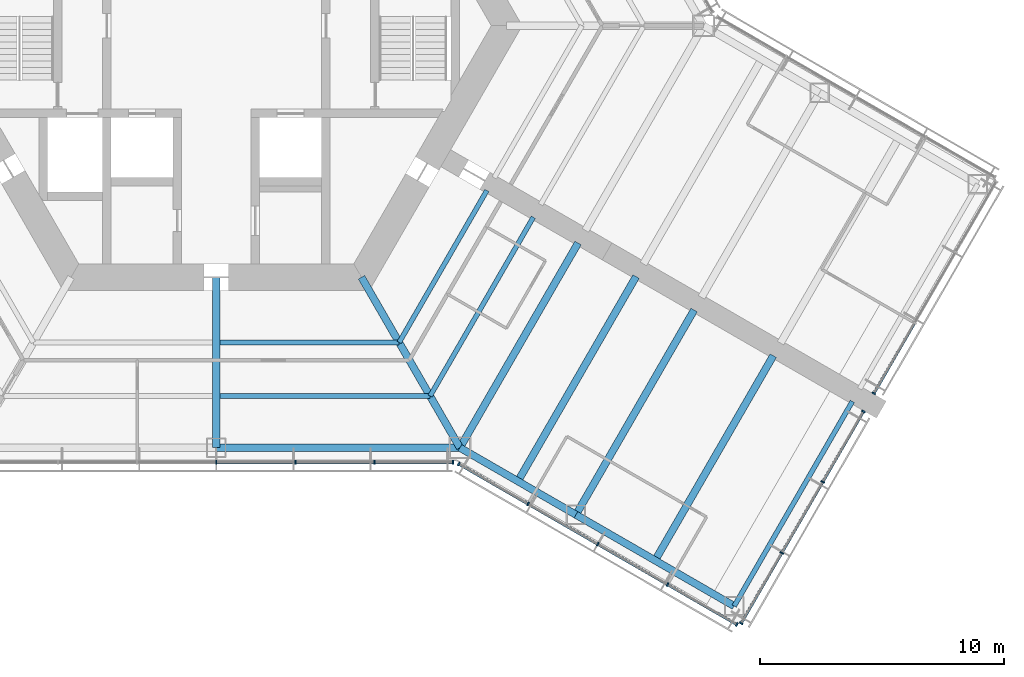
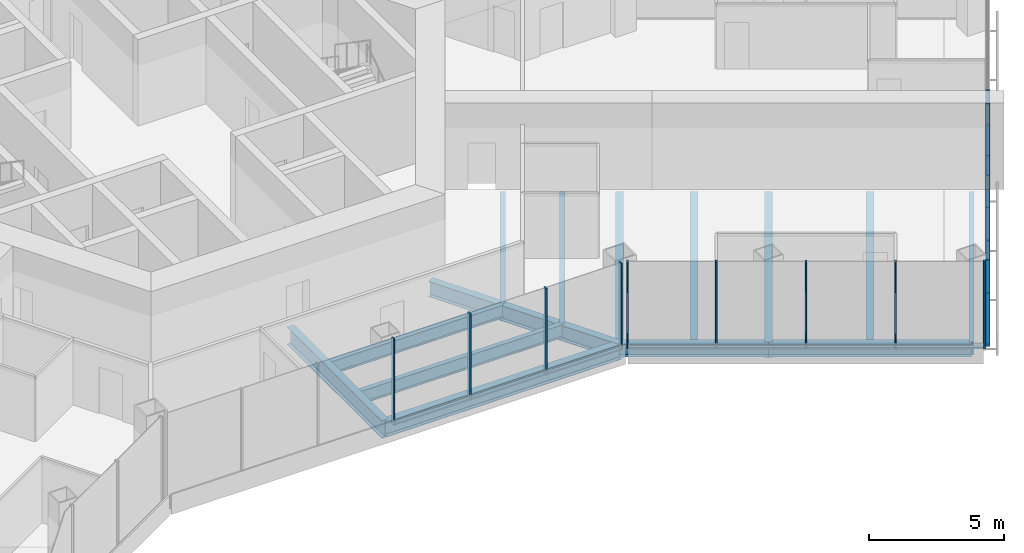
# One storey, part 5 of 19: 25 members, 14 beams, 4 elements without a shape of their own.
"""IFC4 building model written with IfcOpenShell, lengths in metres."""

from ifc_helpers import new_model, si_unit, direction, frame, origin, origin_2d, place, context, subcontext, project, spatial, rectangle, i_section, extrude, material, material_profile, profile_set, type_object, element, aggregate, save


model = new_model("IFC4")

# Units and contexts
model_context = context("Model", 3, precision=1e-05, world=origin(), true_north=direction((0.0, 1.0)))
body_context = subcontext(model_context, "Body", "Model", "MODEL_VIEW")
ifc_project = project(units=[si_unit("LENGTHUNIT", "METRE"), si_unit("AREAUNIT", "SQUARE_METRE"), si_unit("VOLUMEUNIT", "CUBIC_METRE"), si_unit("PLANEANGLEUNIT", "RADIAN"), si_unit("MASSUNIT", "GRAM", prefix="KILO")], contexts=[model_context])

# Site, building, storey
site_placement = place(None, origin())
site = spatial("IfcSite", under=ifc_project, at=site_placement, CompositionType="ELEMENT")
building_placement = place(site_placement, origin())
building = spatial("IfcBuilding", under=site, at=building_placement, Name="Kasaneha Research Tower", CompositionType="ELEMENT")
storey_placement = place(building_placement, frame((0.0, 0.0, 96.300048828125)))
storey = spatial("IfcBuildingStorey", under=building, at=storey_placement, Name="L24", CompositionType="ELEMENT", Elevation=96.300048828125)

# Beams
ifc_material_1 = material(Name="Steel SN490B", Category="steel")
ifc_material_profile_1 = material_profile(ifc_material_1, i_section(OverallWidth=0.199951171875, OverallDepth=0.60009765625, WebThickness=0.010986328125, FlangeThickness=0.01708984375, FilletRadius=0.012939453125, at=origin_2d()), Name="H-600x200x11x17")
ifc_profile_set_1 = profile_set([ifc_material_profile_1], Name="Steel SN490B")
beam_type_1 = type_object("IfcBeamType", Name="B1-3 secondary beam H-600x200x11x17", PredefinedType="JOIST", material=ifc_profile_set_1)
beam_1_placement = place(storey_placement, frame((7.505615234375, -13.0, -0.449951171875), z_axis=(-1.0, 0.0, 0.0), x_axis=(0.0, -1.0, 0.0)))
element("IfcBeam", 1, at=beam_1_placement, inside=storey, type_object=beam_type_1, Name="Secondary beam RS270R1 L24", PredefinedType="JOIST", context=body_context, shape_type="SweptSolid", body=[
    extrude(i_section(OverallWidth=0.199951171875, OverallDepth=0.60009765625, WebThickness=0.010986328125, FlangeThickness=0.01708984375, FilletRadius=0.012939453125, at=origin_2d()), origin(), (0.0, 0.0, 1.0), 7.355712890625),
])
beam_2_placement = place(storey_placement, frame((8.775634765625, -15.199951171875, -0.449951171875), z_axis=(-1.0, 0.0, 0.0), x_axis=(0.0, -1.0, 0.0)))
element("IfcBeam", 2, at=beam_2_placement, inside=storey, type_object=beam_type_1, Name="Secondary beam RS270R2 L24", PredefinedType="JOIST", context=body_context, shape_type="SweptSolid", body=[
    extrude(i_section(OverallWidth=0.199951171875, OverallDepth=0.60009765625, WebThickness=0.010986328125, FlangeThickness=0.01708984375, FilletRadius=0.012939453125, at=origin_2d()), origin(), (0.0, 0.0, 1.0), 8.625732421875),
])
beam_3_placement = place(storey_placement, frame((7.505615234375, -13.0, -0.449951171875), z_axis=(0.499998147991, 0.86602647304, 0.0), x_axis=(-0.86602647304, 0.499998147991, 0.0)))
element("IfcBeam", 3, at=beam_3_placement, inside=storey, type_object=beam_type_1, Name="Secondary beam RS330L1 L24", PredefinedType="JOIST", context=body_context, shape_type="SweptSolid", body=[
    extrude(i_section(OverallWidth=0.199951171875, OverallDepth=0.60009765625, WebThickness=0.010986328125, FlangeThickness=0.01708984375, FilletRadius=0.012939453125, at=origin_2d()), origin(), (0.0, 0.0, 1.0), 7.20556640625),
])
beam_4_placement = place(storey_placement, frame((8.775634765625, -15.199951171875, -0.449951171875), z_axis=(0.500020829043, 0.866013377797, 0.0), x_axis=(-0.866013377797, 0.500020829043, 0.0)))
element("IfcBeam", 4, at=beam_4_placement, inside=storey, type_object=beam_type_1, Name="Secondary beam RS330L2 L24", PredefinedType="JOIST", context=body_context, shape_type="SweptSolid", body=[
    extrude(i_section(OverallWidth=0.199951171875, OverallDepth=0.60009765625, WebThickness=0.010986328125, FlangeThickness=0.01708984375, FilletRadius=0.012939453125, at=origin_2d()), origin(), (0.0, 0.0, 1.0), 8.475830078125),
])
ifc_material_2 = material(Name="Steel SN490B", Category="steel")
ifc_material_profile_2 = material_profile(ifc_material_2, i_section(OverallWidth=0.300048828125, OverallDepth=0.58203125, WebThickness=0.011962890625, FlangeThickness=0.01708984375, FilletRadius=0.012939453125, at=origin_2d()), Name="H-582x300x12x17")
ifc_profile_set_2 = profile_set([ifc_material_profile_2], Name="Steel SN490B")
beam_type_2 = type_object("IfcBeamType", Name="B2-3 secondary beam H-582x300x12x17", PredefinedType="JOIST", material=ifc_profile_set_2)
for number, where, z_axis, x_axis, name in (
    (5, (12.381591796875, -18.695556640625, -0.441162109375), (0.500010041276, 0.866019606374, 0.0), (-0.866019606374, 0.500010041276, 0.0), "Secondary beam WBCP1 L24"),
    (6, (18.0107421875, -21.945556640625, -0.441162109375), (0.500010041276, 0.866019606374, 0.0), (-0.866019606374, 0.500010041276, 0.0), "Secondary beam WBCP2 L24"),
):
    element("IfcBeam", number, at=place(storey_placement, frame(where, z_axis=z_axis, x_axis=x_axis)), inside=storey, type_object=beam_type_2, Name=name, PredefinedType="JOIST", context=body_context, shape_type="SweptSolid", body=[
        extrude(i_section(OverallWidth=0.300048828125, OverallDepth=0.58203125, WebThickness=0.011962890625, FlangeThickness=0.01708984375, FilletRadius=0.012939453125, at=origin_2d()), origin(), (0.0, 0.0, 1.0), 9.699951171875),
    ])

# Curtain wall, members
ifc_material_3 = material(Name="Glass and aluminium", Category="aluminium")
curtain_wall_type = type_object("IfcCurtainWallType", Name="Low-rise office curtain wall", PredefinedType="USERDEFINED", material=ifc_material_3)
curtain_wall_1_placement = place(storey_placement, origin())
curtain_wall_1 = element("IfcCurtainWall", 7, at=curtain_wall_1_placement, inside=storey, type_object=curtain_wall_type, Name="CW-O1 L24 run 02a", ObjectType="UNITISED CURTAIN WALL", PredefinedType="USERDEFINED")
ifc_material_4 = material(Name="Aluminium 6063-T6", Category="aluminium")
ifc_material_profile_3 = material_profile(ifc_material_4, rectangle(XDim=0.06005859375, YDim=0.159912109375, at=origin_2d()), Name="CW-O1 mullion 60x160")
ifc_profile_set_3 = profile_set([ifc_material_profile_3], Name="Aluminium 6063-T6")
member_type_1 = type_object("IfcMemberType", Name="CW-O1 mullion", PredefinedType="MULLION", material=ifc_profile_set_3)
member_1_placement = place(storey_placement, frame((0.0, -17.92041015625, 0.0), z_axis=(0.0, 0.0, 1.0), x_axis=(1.0, 0.0, 0.0)))
member_1 = element("IfcMember", 8, at=member_1_placement, type_object=member_type_1, Name="CW-O1 mullion 4", PredefinedType="MULLION", context=body_context, shape_type="SweptSolid", body=[
    extrude(rectangle(XDim=0.06005859375, YDim=0.159912109375, at=origin_2d()), origin(), (0.0, 0.0, 1.0), 3.89990234375),
])
member_2_placement = place(storey_placement, frame((3.246337890625, -17.92041015625, 0.0), z_axis=(0.0, 0.0, 1.0), x_axis=(1.0, 0.0, 0.0)))
member_2 = element("IfcMember", 9, at=member_2_placement, type_object=member_type_1, Name="CW-O1 mullion 5", PredefinedType="MULLION", context=body_context, shape_type="SweptSolid", body=[
    extrude(rectangle(XDim=0.06005859375, YDim=0.159912109375, at=origin_2d()), origin(), (0.0, 0.0, 1.0), 3.89990234375),
])
member_3_placement = place(storey_placement, frame((6.492919921875, -17.92041015625, 0.0), z_axis=(0.0, 0.0, 1.0), x_axis=(1.0, 0.0, 0.0)))
member_3 = element("IfcMember", 10, at=member_3_placement, type_object=member_type_1, Name="CW-O1 mullion 6", PredefinedType="MULLION", context=body_context, shape_type="SweptSolid", body=[
    extrude(rectangle(XDim=0.06005859375, YDim=0.159912109375, at=origin_2d()), origin(), (0.0, 0.0, 1.0), 3.89990234375),
])
member_4_placement = place(storey_placement, frame((9.709228515625, -17.92041015625, 0.0), z_axis=(0.0, 0.0, 1.0), x_axis=(1.0, 0.0, 0.0)))
member_4 = element("IfcMember", 11, at=member_4_placement, type_object=member_type_1, Name="CW-O1 mullion 7", PredefinedType="MULLION", context=body_context, shape_type="SweptSolid", body=[
    extrude(rectangle(XDim=0.06005859375, YDim=0.159912109375, at=origin_2d()), origin(), (0.0, 0.0, 1.0), 3.89990234375),
])

curtain_wall_2_placement = place(storey_placement, origin())
curtain_wall_2 = element("IfcCurtainWall", 12, at=curtain_wall_2_placement, inside=storey, type_object=curtain_wall_type, Name="CW-O1 L24 run 03a", ObjectType="UNITISED CURTAIN WALL", PredefinedType="USERDEFINED")
member_5_placement = place(storey_placement, frame((9.951904296875, -17.985595703125, 0.0), z_axis=(0.0, 0.0, 1.0), x_axis=(0.866025411464, -0.499999986699, 0.0)))
member_5 = element("IfcMember", 13, at=member_5_placement, type_object=member_type_1, Name="CW-O1 mullion 1", PredefinedType="MULLION", context=body_context, shape_type="SweptSolid", body=[
    extrude(rectangle(XDim=0.06005859375, YDim=0.159912109375, at=origin_2d()), origin(), (0.0, 0.0, 1.0), 3.89990234375),
])
member_6_placement = place(storey_placement, frame((12.792236328125, -19.62548828125, 0.0), z_axis=(0.0, 0.0, 1.0), x_axis=(0.866025411464, -0.499999986699, 0.0)))
member_6 = element("IfcMember", 14, at=member_6_placement, type_object=member_type_1, Name="CW-O1 mullion 2", PredefinedType="MULLION", context=body_context, shape_type="SweptSolid", body=[
    extrude(rectangle(XDim=0.06005859375, YDim=0.159912109375, at=origin_2d()), origin(), (0.0, 0.0, 1.0), 3.89990234375),
])
member_7_placement = place(storey_placement, frame((15.65869140625, -21.2802734375, 0.0), z_axis=(0.0, 0.0, 1.0), x_axis=(0.866025411464, -0.499999986699, 0.0)))
member_7 = element("IfcMember", 15, at=member_7_placement, type_object=member_type_1, Name="CW-O1 mullion 3", PredefinedType="MULLION", context=body_context, shape_type="SweptSolid", body=[
    extrude(rectangle(XDim=0.06005859375, YDim=0.159912109375, at=origin_2d()), origin(), (0.0, 0.0, 1.0), 3.89990234375),
])
member_8_placement = place(storey_placement, frame((18.52490234375, -22.935302734375, 0.0), z_axis=(0.0, 0.0, 1.0), x_axis=(0.866025411464, -0.499999986699, 0.0)))
member_8 = element("IfcMember", 16, at=member_8_placement, type_object=member_type_1, Name="CW-O1 mullion 4", PredefinedType="MULLION", context=body_context, shape_type="SweptSolid", body=[
    extrude(rectangle(XDim=0.06005859375, YDim=0.159912109375, at=origin_2d()), origin(), (0.0, 0.0, 1.0), 3.89990234375),
])
member_9_placement = place(storey_placement, frame((21.365478515625, -24.5751953125, 0.0), z_axis=(0.0, 0.0, 1.0), x_axis=(0.866025411464, -0.499999986699, 0.0)))
member_9 = element("IfcMember", 17, at=member_9_placement, type_object=member_type_1, Name="CW-O1 mullion 5", PredefinedType="MULLION", context=body_context, shape_type="SweptSolid", body=[
    extrude(rectangle(XDim=0.06005859375, YDim=0.159912109375, at=origin_2d()), origin(), (0.0, 0.0, 1.0), 3.89990234375),
])

curtain_wall_3_placement = place(storey_placement, origin())
curtain_wall_3 = element("IfcCurtainWall", 18, at=curtain_wall_3_placement, inside=storey, type_object=curtain_wall_type, Name="CW-O1 L24 run 04a", ObjectType="UNITISED CURTAIN WALL", PredefinedType="USERDEFINED")
member_10_placement = place(storey_placement, frame((21.54296875, -24.527587890625, 0.0), z_axis=(0.0, 0.0, 1.0), x_axis=(0.500000011442, 0.866025397178, 0.0)))
member_10 = element("IfcMember", 19, at=member_10_placement, type_object=member_type_1, Name="CW-O1 mullion 1", PredefinedType="MULLION", context=body_context, shape_type="SweptSolid", body=[
    extrude(rectangle(XDim=0.06005859375, YDim=0.159912109375, at=origin_2d()), origin(), (0.0, 0.0, 1.0), 3.89990234375),
])
member_11_placement = place(storey_placement, frame((23.211181640625, -21.637939453125, 0.0), z_axis=(0.0, 0.0, 1.0), x_axis=(0.500000011442, 0.866025397178, 0.0)))
member_11 = element("IfcMember", 20, at=member_11_placement, type_object=member_type_1, Name="CW-O1 mullion 2", PredefinedType="MULLION", context=body_context, shape_type="SweptSolid", body=[
    extrude(rectangle(XDim=0.06005859375, YDim=0.159912109375, at=origin_2d()), origin(), (0.0, 0.0, 1.0), 3.89990234375),
])
member_12_placement = place(storey_placement, frame((24.89453125, -18.72216796875, 0.0), z_axis=(0.0, 0.0, 1.0), x_axis=(0.500000011442, 0.866025397178, 0.0)))
member_12 = element("IfcMember", 21, at=member_12_placement, type_object=member_type_1, Name="CW-O1 mullion 3", PredefinedType="MULLION", context=body_context, shape_type="SweptSolid", body=[
    extrude(rectangle(XDim=0.06005859375, YDim=0.159912109375, at=origin_2d()), origin(), (0.0, 0.0, 1.0), 3.89990234375),
])
member_13_placement = place(storey_placement, frame((26.56298828125, -15.832763671875, 0.0), z_axis=(0.0, 0.0, 1.0), x_axis=(0.500000011442, 0.866025397178, 0.0)))
member_13 = element("IfcMember", 22, at=member_13_placement, type_object=member_type_1, Name="CW-O1 mullion 4", PredefinedType="MULLION", context=body_context, shape_type="SweptSolid", body=[
    extrude(rectangle(XDim=0.06005859375, YDim=0.159912109375, at=origin_2d()), origin(), (0.0, 0.0, 1.0), 3.89990234375),
])

# Curtain wall, member
curtain_wall_4_placement = place(storey_placement, origin())
curtain_wall_4 = element("IfcCurtainWall", 23, at=curtain_wall_4_placement, inside=storey, type_object=curtain_wall_type, Name="CW-O1 L24 run 05a", ObjectType="UNITISED CURTAIN WALL", PredefinedType="USERDEFINED")
member_14_placement = place(storey_placement, frame((26.992919921875, -15.087890625, 0.0), z_axis=(0.0, 0.0, 1.0), x_axis=(0.500000011442, 0.866025397178, 0.0)))
member_14 = element("IfcMember", 24, at=member_14_placement, type_object=member_type_1, Name="CW-O1 mullion 1", PredefinedType="MULLION", context=body_context, shape_type="SweptSolid", body=[
    extrude(rectangle(XDim=0.06005859375, YDim=0.159912109375, at=origin_2d()), origin(), (0.0, 0.0, 1.0), 3.89990234375),
])

# Member
ifc_material_5 = material(Name="Aluminium 6063-T6", Category="aluminium")
ifc_material_profile_4 = material_profile(ifc_material_5, rectangle(XDim=0.1201171875, YDim=0.06005859375, at=origin_2d()), Name="CW-O1 transom 120x60")
ifc_profile_set_4 = profile_set([ifc_material_profile_4], Name="Aluminium 6063-T6")
member_type_2 = type_object("IfcMemberType", Name="CW-O1 transom", PredefinedType="USERDEFINED", material=ifc_profile_set_4)
member_15_placement = place(storey_placement, frame((0.030029296875, -17.92041015625, 0.030029296875), z_axis=(1.0, 0.0, 0.0), x_axis=(0.0, 1.0, 0.0)))
member_15 = element("IfcMember", 25, at=member_15_placement, type_object=member_type_2, Name="CW-O1 transom 4", ObjectType="TRANSOM", PredefinedType="USERDEFINED", context=body_context, shape_type="SweptSolid", body=[
    extrude(rectangle(XDim=0.1201171875, YDim=0.06005859375, at=origin_2d()), origin(), (0.0, 0.0, 1.0), 3.186279296875),
])

member_16_placement = place(storey_placement, frame((3.2763671875, -17.92041015625, 0.030029296875), z_axis=(1.0, 0.0, 0.0), x_axis=(0.0, 1.0, 0.0)))
member_16 = element("IfcMember", 26, at=member_16_placement, type_object=member_type_2, Name="CW-O1 transom 5", ObjectType="TRANSOM", PredefinedType="USERDEFINED", context=body_context, shape_type="SweptSolid", body=[
    extrude(rectangle(XDim=0.1201171875, YDim=0.06005859375, at=origin_2d()), origin(), (0.0, 0.0, 1.0), 3.1865234375),
])

member_17_placement = place(storey_placement, frame((6.522705078125, -17.92041015625, 0.030029296875), z_axis=(1.0, 0.0, 0.0), x_axis=(0.0, 1.0, 0.0)))
member_17 = element("IfcMember", 27, at=member_17_placement, type_object=member_type_2, Name="CW-O1 transom 6", ObjectType="TRANSOM", PredefinedType="USERDEFINED", context=body_context, shape_type="SweptSolid", body=[
    extrude(rectangle(XDim=0.1201171875, YDim=0.06005859375, at=origin_2d()), origin(), (0.0, 0.0, 1.0), 3.156494140625),
])

aggregate(curtain_wall_1, [member_1, member_2, member_3, member_4, member_15, member_16, member_17])

member_18_placement = place(storey_placement, frame((9.977783203125, -18.00048828125, 0.030029296875), z_axis=(0.866022692473, -0.500004696101, 0.0), x_axis=(0.500004696101, 0.866022692473, 0.0)))
member_18 = element("IfcMember", 28, at=member_18_placement, type_object=member_type_2, Name="CW-O1 transom 1", ObjectType="TRANSOM", PredefinedType="USERDEFINED", context=body_context, shape_type="SweptSolid", body=[
    extrude(rectangle(XDim=0.1201171875, YDim=0.06005859375, at=origin_2d()), origin(), (0.0, 0.0, 1.0), 3.2197265625),
])

member_19_placement = place(storey_placement, frame((12.818115234375, -19.640380859375, 0.030029296875), z_axis=(0.866015446554, -0.500017246033, 0.0), x_axis=(0.500017246033, 0.866015446554, 0.0)))
member_19 = element("IfcMember", 29, at=member_19_placement, type_object=member_type_2, Name="CW-O1 transom 2", ObjectType="TRANSOM", PredefinedType="USERDEFINED", context=body_context, shape_type="SweptSolid", body=[
    extrude(rectangle(XDim=0.1201171875, YDim=0.06005859375, at=origin_2d()), origin(), (0.0, 0.0, 1.0), 3.25),
])

member_20_placement = place(storey_placement, frame((15.6845703125, -21.29541015625, 0.030029296875), z_axis=(0.86604797581, -0.499960902066, 0.0), x_axis=(0.499960902066, 0.86604797581, 0.0)))
member_20 = element("IfcMember", 30, at=member_20_placement, type_object=member_type_2, Name="CW-O1 transom 3", ObjectType="TRANSOM", PredefinedType="USERDEFINED", context=body_context, shape_type="SweptSolid", body=[
    extrude(rectangle(XDim=0.1201171875, YDim=0.06005859375, at=origin_2d()), origin(), (0.0, 0.0, 1.0), 3.249755859375),
])

member_21_placement = place(storey_placement, frame((18.551025390625, -22.9501953125, 0.030029296875), z_axis=(0.866022692473, -0.500004696101, 0.0), x_axis=(0.500004696101, 0.866022692473, 0.0)))
member_21 = element("IfcMember", 31, at=member_21_placement, type_object=member_type_2, Name="CW-O1 transom 4", ObjectType="TRANSOM", PredefinedType="USERDEFINED", context=body_context, shape_type="SweptSolid", body=[
    extrude(rectangle(XDim=0.1201171875, YDim=0.06005859375, at=origin_2d()), origin(), (0.0, 0.0, 1.0), 3.2197265625),
])

aggregate(curtain_wall_2, [member_5, member_6, member_7, member_8, member_9, member_18, member_19, member_20, member_21])

member_22_placement = place(storey_placement, frame((21.557861328125, -24.50146484375, 0.030029296875), z_axis=(0.500025583411, 0.866010632691, 0.0), x_axis=(-0.866010632691, 0.500025583411, 0.0)))
member_22 = element("IfcMember", 32, at=member_22_placement, type_object=member_type_2, Name="CW-O1 transom 1", ObjectType="TRANSOM", PredefinedType="USERDEFINED", context=body_context, shape_type="SweptSolid", body=[
    extrude(rectangle(XDim=0.1201171875, YDim=0.06005859375, at=origin_2d()), origin(), (0.0, 0.0, 1.0), 3.276611328125),
])

member_23_placement = place(storey_placement, frame((23.226318359375, -21.61181640625, 0.030029296875), z_axis=(0.500014325468, 0.866017132814, 0.0), x_axis=(-0.866017132814, 0.500014325468, 0.0)))
member_23 = element("IfcMember", 33, at=member_23_placement, type_object=member_type_2, Name="CW-O1 transom 2", ObjectType="TRANSOM", PredefinedType="USERDEFINED", context=body_context, shape_type="SweptSolid", body=[
    extrude(rectangle(XDim=0.1201171875, YDim=0.06005859375, at=origin_2d()), origin(), (0.0, 0.0, 1.0), 3.306640625),
])

member_24_placement = place(storey_placement, frame((24.90966796875, -18.6962890625, 0.030029296875), z_axis=(0.499969700927, 0.866042896256, 0.0), x_axis=(-0.866042896256, 0.499969700927, 0.0)))
member_24 = element("IfcMember", 34, at=member_24_placement, type_object=member_type_2, Name="CW-O1 transom 3", ObjectType="TRANSOM", PredefinedType="USERDEFINED", context=body_context, shape_type="SweptSolid", body=[
    extrude(rectangle(XDim=0.1201171875, YDim=0.06005859375, at=origin_2d()), origin(), (0.0, 0.0, 1.0), 3.276611328125),
])

aggregate(curtain_wall_3, [member_10, member_11, member_12, member_13, member_22, member_23, member_24])

member_25_placement = place(storey_placement, frame((27.008056640625, -15.061767578125, 0.030029296875), z_axis=(0.499969700927, 0.866042896256, 0.0), x_axis=(-0.866042896256, 0.499969700927, 0.0)))
member_25 = element("IfcMember", 35, at=member_25_placement, type_object=member_type_2, Name="CW-O1 transom 1", ObjectType="TRANSOM", PredefinedType="USERDEFINED", context=body_context, shape_type="SweptSolid", body=[
    extrude(rectangle(XDim=0.1201171875, YDim=0.06005859375, at=origin_2d()), origin(), (0.0, 0.0, 1.0), 3.276611328125),
])

aggregate(curtain_wall_4, [member_14, member_25])

# Beams
ifc_material_6 = material(Name="Steel SN490B", Category="steel")
ifc_material_profile_5 = material_profile(ifc_material_6, i_section(OverallWidth=0.300048828125, OverallDepth=0.699951171875, WebThickness=0.012939453125, FlangeThickness=0.02392578125, FilletRadius=0.01806640625, at=origin_2d()), Name="H-700x300x13x24")
ifc_profile_set_5 = profile_set([ifc_material_profile_5], Name="Steel SN490B")
beam_type_3 = type_object("IfcBeamType", Name="G1-3 radial girder H-700x300x13x24", PredefinedType="BEAM", material=ifc_profile_set_5)
beam_5_placement = place(storey_placement, frame((5.961181640625, -10.324951171875, -0.5), z_axis=(0.49999105496, -0.866030568144, 0.0), x_axis=(0.866030568144, 0.49999105496, 0.0)))
element("IfcBeam", 36, at=beam_5_placement, inside=storey, type_object=beam_type_3, Name="Radial girder RV300 L24", PredefinedType="BEAM", context=body_context, shape_type="SweptSolid", body=[
    extrude(i_section(OverallWidth=0.300048828125, OverallDepth=0.699951171875, WebThickness=0.012939453125, FlangeThickness=0.02392578125, FilletRadius=0.01806640625, at=origin_2d()), origin(), (0.0, 0.0, 1.0), 8.077880859375),
])
ifc_material_7 = material(Name="Steel SN490B", Category="steel")
ifc_material_profile_6 = material_profile(ifc_material_7, i_section(OverallWidth=0.300048828125, OverallDepth=0.800048828125, WebThickness=0.013916015625, FlangeThickness=0.02587890625, FilletRadius=0.01806640625, at=origin_2d()), Name="H-800x300x14x26")
ifc_profile_set_6 = profile_set([ifc_material_profile_6], Name="Steel SN490B")
beam_type_4 = type_object("IfcBeamType", Name="G2-3 radial girder H-800x300x14x26", PredefinedType="BEAM", material=ifc_profile_set_6)
beam_6_placement = place(storey_placement, frame((0.0, -10.324951171875, -0.550048828125), z_axis=(0.0, -1.0, 0.0), x_axis=(1.0, 0.0, 0.0)))
element("IfcBeam", 37, at=beam_6_placement, inside=storey, type_object=beam_type_4, Name="Radial girder RM270 L24", PredefinedType="BEAM", context=body_context, shape_type="SweptSolid", body=[
    extrude(i_section(OverallWidth=0.300048828125, OverallDepth=0.800048828125, WebThickness=0.013916015625, FlangeThickness=0.02587890625, FilletRadius=0.01806640625, at=origin_2d()), origin(), (0.0, 0.0, 1.0), 6.99560546875),
])
ifc_material_8 = material(Name="Steel SN490B", Category="steel")
ifc_material_profile_7 = material_profile(ifc_material_8, i_section(OverallWidth=0.300048828125, OverallDepth=0.69189453125, WebThickness=0.012939453125, FlangeThickness=0.02001953125, FilletRadius=0.01806640625, at=origin_2d()), Name="H-692x300x13x20")
ifc_profile_set_7 = profile_set([ifc_material_profile_7], Name="Steel SN490B")
beam_type_5 = type_object("IfcBeamType", Name="G3-3 plate edge girder H-692x300x13x20", PredefinedType="BEAM", material=ifc_profile_set_7)
beam_7_placement = place(storey_placement, frame((10.0, -17.320556640625, -0.49609375), z_axis=(0.500010041276, 0.866019606374, 0.0), x_axis=(-0.866019606374, 0.500010041276, 0.0)))
element("IfcBeam", 38, at=beam_7_placement, inside=storey, type_object=beam_type_5, Name="Plate edge girder PECP L24", PredefinedType="BEAM", context=body_context, shape_type="SweptSolid", body=[
    extrude(i_section(OverallWidth=0.300048828125, OverallDepth=0.69189453125, WebThickness=0.012939453125, FlangeThickness=0.02001953125, FilletRadius=0.01806640625, at=origin_2d()), origin(), (0.0, 0.0, 1.0), 9.699951171875),
])
ifc_material_9 = material(Name="Steel SN490B", Category="steel")
ifc_material_profile_8 = material_profile(ifc_material_9, i_section(OverallWidth=0.300048828125, OverallDepth=0.699951171875, WebThickness=0.012939453125, FlangeThickness=0.02392578125, FilletRadius=0.01806640625, at=origin_2d()), Name="H-700x300x13x24")
ifc_profile_set_8 = profile_set([ifc_material_profile_8], Name="Steel SN490B")
beam_type_6 = type_object("IfcBeamType", Name="G4-3 wing girder H-700x300x13x24", PredefinedType="BEAM", material=ifc_profile_set_8)
beam_8_placement = place(storey_placement, frame((14.76318359375, -20.070556640625, -0.5), z_axis=(0.499991164321, 0.866030505006, 0.0), x_axis=(-0.866030505006, 0.499991164321, 0.0)))
element("IfcBeam", 39, at=beam_8_placement, inside=storey, type_object=beam_type_6, Name="Wing girder WGCP L24", PredefinedType="BEAM", context=body_context, shape_type="SweptSolid", body=[
    extrude(i_section(OverallWidth=0.300048828125, OverallDepth=0.699951171875, WebThickness=0.012939453125, FlangeThickness=0.02392578125, FilletRadius=0.01806640625, at=origin_2d()), origin(), (0.0, 0.0, 1.0), 9.699951171875),
])
ifc_material_10 = material(Name="Steel SN490B", Category="steel")
ifc_material_profile_9 = material_profile(ifc_material_10, i_section(OverallWidth=0.300048828125, OverallDepth=0.69189453125, WebThickness=0.012939453125, FlangeThickness=0.02001953125, FilletRadius=0.01806640625, at=origin_2d()), Name="H-692x300x13x20")
ifc_profile_set_9 = profile_set([ifc_material_profile_9], Name="Steel SN490B")
beam_type_7 = type_object("IfcBeamType", Name="SB1-3 spandrel beam H-692x300x13x20", PredefinedType="SPANDREL", material=ifc_profile_set_9)
beam_9_placement = place(storey_placement, frame((10.0, -17.320556640625, -0.49609375), z_axis=(-1.0, 0.0, 0.0), x_axis=(0.0, -1.0, 0.0)))
element("IfcBeam", 40, at=beam_9_placement, inside=storey, type_object=beam_type_7, Name="Spandrel beam SR270R L24", PredefinedType="SPANDREL", context=body_context, shape_type="SweptSolid", body=[
    extrude(i_section(OverallWidth=0.300048828125, OverallDepth=0.69189453125, WebThickness=0.012939453125, FlangeThickness=0.02001953125, FilletRadius=0.01806640625, at=origin_2d()), origin(), (0.0, 0.0, 1.0), 10.0),
])
ifc_material_11 = material(Name="Steel SN490B", Category="steel")
ifc_material_profile_10 = material_profile(ifc_material_11, i_section(OverallWidth=0.300048828125, OverallDepth=0.58203125, WebThickness=0.011962890625, FlangeThickness=0.01708984375, FilletRadius=0.012939453125, at=origin_2d()), Name="H-582x300x12x17")
ifc_profile_set_10 = profile_set([ifc_material_profile_10], Name="Steel SN490B")
beam_type_8 = type_object("IfcBeamType", Name="SB2-3 spandrel beam H-582x300x12x17", PredefinedType="SPANDREL", material=ifc_profile_set_10)
beam_10_placement = place(storey_placement, frame((10.0, -17.320556640625, -0.441162109375), z_axis=(0.866027397988, -0.499996545922, 0.0), x_axis=(0.499996545922, 0.866027397988, 0.0)))
element("IfcBeam", 41, at=beam_10_placement, inside=storey, type_object=beam_type_8, Name="Spandrel beam WSCP1 L24", PredefinedType="SPANDREL", context=body_context, shape_type="SweptSolid", body=[
    extrude(i_section(OverallWidth=0.300048828125, OverallDepth=0.58203125, WebThickness=0.011962890625, FlangeThickness=0.01708984375, FilletRadius=0.012939453125, at=origin_2d()), origin(), (0.0, 0.0, 1.0), 5.5),
])
beam_11_placement = place(storey_placement, frame((14.76318359375, -20.070556640625, -0.441162109375), z_axis=(0.866022959057, -0.500004234368, 0.0), x_axis=(0.500004234368, 0.866022959057, 0.0)))
element("IfcBeam", 42, at=beam_11_placement, inside=storey, type_object=beam_type_8, Name="Spandrel beam WSCP2 L24", PredefinedType="SPANDREL", context=body_context, shape_type="SweptSolid", body=[
    extrude(i_section(OverallWidth=0.300048828125, OverallDepth=0.58203125, WebThickness=0.011962890625, FlangeThickness=0.01708984375, FilletRadius=0.012939453125, at=origin_2d()), origin(), (0.0, 0.0, 1.0), 7.5),
])
ifc_material_12 = material(Name="Steel SN490B", Category="steel")
ifc_material_profile_11 = material_profile(ifc_material_12, i_section(OverallWidth=0.199951171875, OverallDepth=0.60009765625, WebThickness=0.010986328125, FlangeThickness=0.01708984375, FilletRadius=0.012939453125, at=origin_2d()), Name="H-600x200x11x17")
ifc_profile_set_11 = profile_set([ifc_material_profile_11], Name="Steel SN490B")
beam_type_9 = type_object("IfcBeamType", Name="SB3-3 spandrel beam H-600x200x11x17", PredefinedType="SPANDREL", material=ifc_profile_set_11)
beam_12_placement = place(storey_placement, frame((21.25830078125, -23.820556640625, -0.449951171875), z_axis=(0.500010041276, 0.866019606374, 0.0), x_axis=(-0.866019606374, 0.500010041276, 0.0)))
element("IfcBeam", 43, at=beam_12_placement, inside=storey, type_object=beam_type_9, Name="Spandrel beam WTCP L24", PredefinedType="SPANDREL", context=body_context, shape_type="SweptSolid", body=[
    extrude(i_section(OverallWidth=0.199951171875, OverallDepth=0.60009765625, WebThickness=0.010986328125, FlangeThickness=0.01708984375, FilletRadius=0.012939453125, at=origin_2d()), origin(), (0.0, 0.0, 1.0), 9.699951171875),
])

save(model, "model.ifc")
